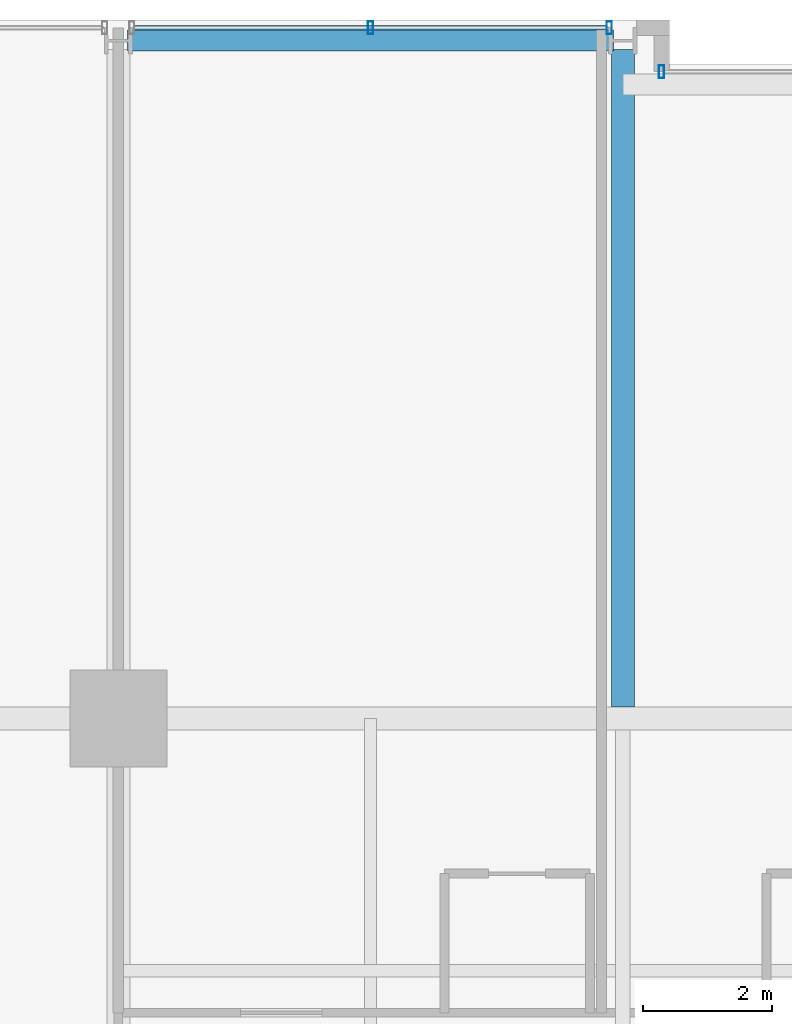
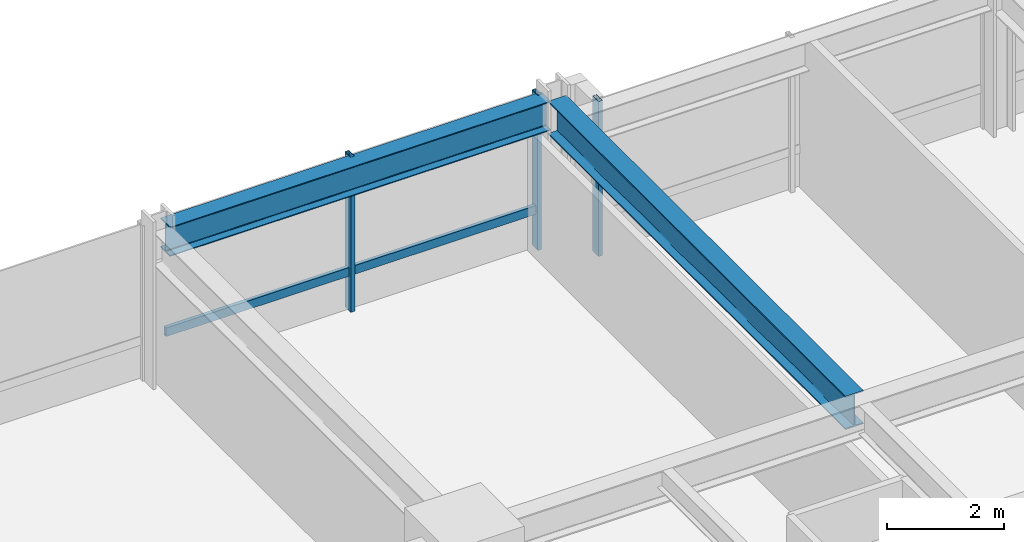
# One storey, part 21 of 35: 4 members, 2 beams, 2 elements without a shape of their own.
"""IFC4 building model written with IfcOpenShell, lengths in metres."""

import ifcopenshell
import ifcopenshell.guid

model = None  # the IFC model being written
_history = None  # IfcOwnerHistory: only IFC2X3 demands one
_inside = {}  # id of a spatial element -> (the spatial element, [elements in it])
_under = {}  # id of a project, library or spatial element -> (it, [spatial elements below it])
_declared = {}  # id of a project -> (the project, [libraries it declares])
_typed = {}  # id of a type object -> (the type object, [elements of that type])
_made_of = {}  # id of a material, layer set ... -> (it, [elements and type objects made of it])


def new_model(schema):
    """Start an empty IFC model of exactly this schema.

    Asked for "IFC4X3", IfcOpenShell would pick the latest addendum, in which some entities
    have other attributes; the version numbers below select the first issue.
    IFC2X3 requires an IfcOwnerHistory on every rooted entity: one is made here for all.
    """
    global model, _history
    if schema == "IFC4X3":
        model = ifcopenshell.file(schema_version=(4, 3, 0, 0))
    else:
        model = ifcopenshell.file(schema=schema)
    _inside.clear()
    _under.clear()
    _declared.clear()
    _typed.clear()
    _made_of.clear()
    _history = None
    if model.schema == "IFC2X3":
        org = make("IfcOrganization", Name="unknown")
        user = make(
            "IfcPersonAndOrganization",
            ThePerson=make("IfcPerson", FamilyName="unknown"),
            TheOrganization=org,
        )
        app = make(
            "IfcApplication",
            ApplicationDeveloper=org,
            Version="unknown",
            ApplicationFullName="unknown",
            ApplicationIdentifier="unknown",
        )
        _history = make(
            "IfcOwnerHistory",
            OwningUser=user,
            OwningApplication=app,
            ChangeAction="ADDED",
            CreationDate=0,
        )
    return model


def make(cls, **values):
    """One entity of the class cls with the attributes given. An attribute that is None is left unset."""
    return model.create_entity(
        cls, **{name: value for name, value in values.items() if value is not None}
    )


def rooted(cls, **values):
    """An entity with a GlobalId (a new one), such as an element, a storey or a relation."""
    return make(cls, GlobalId=ifcopenshell.guid.new(), OwnerHistory=_history, **values)


def si_unit(unit_type, name, prefix=None):
    """IfcSIUnit, for example si_unit("LENGTHUNIT", "METRE", prefix="MILLI")."""
    return make("IfcSIUnit", UnitType=unit_type, Prefix=prefix, Name=name)


def assignment(units):
    """IfcUnitAssignment: the units of a project."""
    return None if units is None else make("IfcUnitAssignment", Units=units)


def point(xyz):
    """IfcCartesianPoint."""
    return None if xyz is None else make("IfcCartesianPoint", Coordinates=xyz)


def direction(xyz):
    """IfcDirection."""
    return None if xyz is None else make("IfcDirection", DirectionRatios=xyz)


def frame(location, z_axis=None, x_axis=None):
    """IfcAxis2Placement3D, a coordinate frame: its origin and axes. An axis left out is left unset."""
    return make(
        "IfcAxis2Placement3D",
        Location=point(location),
        Axis=direction(z_axis),
        RefDirection=direction(x_axis),
    )


def frame_2d(location, x_axis=None):
    """IfcAxis2Placement2D, a coordinate frame in the plane: its origin and x axis."""
    return make(
        "IfcAxis2Placement2D", Location=point(location), RefDirection=direction(x_axis)
    )


def origin():
    """The frame at (0, 0, 0) with its axes left unset."""
    return frame((0.0, 0.0, 0.0))


def origin_2d():
    """The frame at (0, 0) in the plane with its x axis left unset."""
    return frame_2d((0.0, 0.0))


def place(relative_to, where):
    """IfcLocalPlacement: puts the frame where relative to a parent placement (None: the world)."""
    return make(
        "IfcLocalPlacement", PlacementRelTo=relative_to, RelativePlacement=where
    )


def context(
    kind, dimensions, precision=None, world=None, true_north=None, identifier=None
):
    """IfcGeometricRepresentationContext, for example the 3D "Model" context."""
    return make(
        "IfcGeometricRepresentationContext",
        ContextIdentifier=identifier,
        ContextType=kind,
        CoordinateSpaceDimension=dimensions,
        Precision=precision,
        WorldCoordinateSystem=world,
        TrueNorth=true_north,
    )


def subcontext(parent, identifier, kind, view, scale=None):
    """IfcGeometricRepresentationSubContext, for example "Body" below "Model"."""
    return make(
        "IfcGeometricRepresentationSubContext",
        ContextIdentifier=identifier,
        ContextType=kind,
        ParentContext=parent,
        TargetScale=scale,
        TargetView=view,
    )


def project(units=None, contexts=None):
    """IfcProject with its units and contexts."""
    return rooted(
        "IfcProject",
        Name="project",
        RepresentationContexts=contexts,
        UnitsInContext=assignment(units),
    )


def spatial(cls, under=None, at=None, **own):
    """A site, building, storey or space (cls), placed at a placement, below another one or the project."""
    s = rooted(cls, ObjectPlacement=at, **own)
    if under is not None:
        _under.setdefault(under.id(), (under, []))[1].append(s)
    return s


def profile(cls, at=None, kind="AREA", **sizes):
    """A parametric profile (cls). Its sizes go by their IFC names, for example OverallWidth=200.0."""
    return make(cls, ProfileType=kind, Position=at, **sizes)


def hollow_rectangle(**sizes):
    """IfcRectangleHollowProfileDef."""
    return profile("IfcRectangleHollowProfileDef", **sizes)


def i_section(**sizes):
    """IfcIShapeProfileDef."""
    return profile("IfcIShapeProfileDef", **sizes)


def extrude(swept, where, along, depth):
    """IfcExtrudedAreaSolid: the profile swept, set in the frame where, extruded along a direction by depth."""
    return make(
        "IfcExtrudedAreaSolid",
        SweptArea=swept,
        Position=where,
        ExtrudedDirection=direction(along),
        Depth=depth,
    )


def shape(context_of_items, identifier, shape_type, items):
    """IfcShapeRepresentation: the items that make up one representation, for example the "Body"."""
    return make(
        "IfcShapeRepresentation",
        ContextOfItems=context_of_items,
        RepresentationIdentifier=identifier,
        RepresentationType=shape_type,
        Items=items,
    )


def material(Name=None, Category=None):
    """IfcMaterial."""
    return make("IfcMaterial", Name=Name, Category=Category)


def layer(
    of_material, thickness, ventilated=None, Name=None, Category=None, Priority=None
):
    """IfcMaterialLayer: one layer of a wall or slab, of a material (None: an air gap)."""
    return make(
        "IfcMaterialLayer",
        Material=of_material,
        LayerThickness=thickness,
        IsVentilated=ventilated,
        Name=Name,
        Category=Category,
        Priority=Priority,
    )


def layer_set(layers, Name=None):
    """IfcMaterialLayerSet."""
    return make("IfcMaterialLayerSet", MaterialLayers=layers, LayerSetName=Name)


def material_profile(
    of_material, cross_section, Name=None, Category=None, Priority=None
):
    """IfcMaterialProfile: a cross section and its material."""
    return make(
        "IfcMaterialProfile",
        Name=Name,
        Material=of_material,
        Profile=cross_section,
        Priority=Priority,
        Category=Category,
    )


def profile_set(profiles, Name=None, composite=None):
    """IfcMaterialProfileSet."""
    return make(
        "IfcMaterialProfileSet",
        Name=Name,
        MaterialProfiles=profiles,
        CompositeProfile=composite,
    )


def made_of(thing, what):
    """Note that an element or type object is made of a material, layer set ...; save() writes the relation."""
    if what is not None:
        _made_of.setdefault(what.id(), (what, []))[1].append(thing)
    return thing


def type_object(cls, material=None, **own):
    """A type object (cls), such as IfcWallType, which elements share."""
    return made_of(rooted(cls, **own), material)


def element(
    cls,
    number,
    at=None,
    inside=None,
    cuts=None,
    type_object=None,
    material=None,
    context=None,
    identifier="Body",
    shape_type=None,
    held_by="IfcProductDefinitionShape",
    body=None,
    shapes=None,
    **own,
):
    """One element of the class cls, such as IfcWall. Its Tag is "e" and its number.

    at: its placement. inside: the storey or other place that contains it. cuts: it is an
    opening in that element (IfcRelVoidsElement). A single representation is given by context,
    identifier, shape_type and body (its items); several are given by shapes. held_by: the class
    of the entity that holds the representations. save() writes the other relations.
    """
    e = rooted(cls, Tag="e%d" % number, ObjectPlacement=at, **own)
    if body is not None:
        shapes = [shape(context, identifier, shape_type, body)]
    if shapes is not None:
        e.Representation = make(held_by, Representations=shapes)
    if inside is not None:
        _inside.setdefault(inside.id(), (inside, []))[1].append(e)
    if cuts is not None:
        rooted(
            "IfcRelVoidsElement", RelatingBuildingElement=cuts, RelatedOpeningElement=e
        )
    if type_object is not None:
        _typed.setdefault(type_object.id(), (type_object, []))[1].append(e)
    return made_of(e, material)


def aggregate(whole, parts):
    """IfcRelAggregates: a whole, such as a stair, and the parts it consists of."""
    return rooted("IfcRelAggregates", RelatingObject=whole, RelatedObjects=parts)


def save(model, path):
    """Write the relations noted so far, then the file.

    IfcRelAggregates (storeys below a building ...), IfcRelContainedInSpatialStructure (elements
    in a storey), IfcRelDefinesByType, IfcRelAssociatesMaterial and IfcRelDeclares: one each for
    every whole, place, type object, material and project.
    """
    for whole, parts in _under.values():
        aggregate(whole, parts)
    for where, things in _inside.values():
        rooted(
            "IfcRelContainedInSpatialStructure",
            RelatedElements=things,
            RelatingStructure=where,
        )
    for kind, things in _typed.values():
        rooted("IfcRelDefinesByType", RelatedObjects=things, RelatingType=kind)
    for what, things in _made_of.values():
        rooted("IfcRelAssociatesMaterial", RelatedObjects=things, RelatingMaterial=what)
    for by, libraries in _declared.values():
        rooted("IfcRelDeclares", RelatingContext=by, RelatedDefinitions=libraries)
    model.write(path)


model = new_model("IFC4")

# Units and contexts
model_context = context("Model", 3, precision=1e-05, world=origin(), true_north=direction((0.0, 1.0)))
body_context = subcontext(model_context, "Body", "Model", "MODEL_VIEW")
ifc_project = project(units=[si_unit("LENGTHUNIT", "METRE"), si_unit("AREAUNIT", "SQUARE_METRE"), si_unit("VOLUMEUNIT", "CUBIC_METRE"), si_unit("PLANEANGLEUNIT", "RADIAN"), si_unit("MASSUNIT", "GRAM", prefix="KILO")], contexts=[model_context])

# Site, building, storey
site_placement = place(None, origin())
site = spatial("IfcSite", under=ifc_project, at=site_placement, CompositionType="ELEMENT")
building_placement = place(site_placement, origin())
building = spatial("IfcBuilding", under=site, at=building_placement, Name="Drelvath Grand Hotel", CompositionType="ELEMENT")
storey_placement = place(building_placement, frame((0.0, 0.0, 123.300048828125)))
storey = spatial("IfcBuildingStorey", under=building, at=storey_placement, Name="L31", CompositionType="ELEMENT", Elevation=123.300048828125)

# Curtain wall, members
ifc_material_1 = material(Name="Champagne Bronze Anodised Aluminium Frame", Category="aluminium")
ifc_layer = layer(ifc_material_1, 0.199951171875)
ifc_layer_set = layer_set([ifc_layer], Name="Champagne Bronze Anodised Aluminium Frame")
curtain_wall_type = type_object("IfcCurtainWallType", Name="Stick Curtain Wall CW-03 Champagne Bronze Mid-Rise", PredefinedType="NOTDEFINED", material=ifc_layer_set)
curtain_wall_1_placement = place(storey_placement, origin())
curtain_wall_1 = element("IfcCurtainWall", 1, at=curtain_wall_1_placement, inside=storey, type_object=curtain_wall_type, Name="L31 CW-03 Curtain Wall CW03-L31-NW2", PredefinedType="NOTDEFINED")
ifc_material_profile_1 = material_profile(ifc_material_1, hollow_rectangle(XDim=0.074951171875, YDim=0.179931640625, WallThickness=0.0048828125, at=origin_2d()), Name="HSS180X75X5")
ifc_profile_set_1 = profile_set([ifc_material_profile_1], Name="Champagne Bronze Anodised Aluminium Frame")
member_type_1 = type_object("IfcMemberType", Name="Curtain Wall Horizontal Transom CW-03 HSS180X75X5", PredefinedType="USERDEFINED", material=ifc_profile_set_1)
member_1_placement = place(storey_placement, frame((-15.95068359375, 53.8798828125, 0.81005859375), z_axis=(1.0, 0.0, 0.0), x_axis=(0.0, 1.0, 0.0)))
member_1 = element("IfcMember", 2, at=member_1_placement, type_object=member_type_1, Name="CW03-L31-NW2 Sill Transom", ObjectType="TRANSOM", PredefinedType="USERDEFINED", context=body_context, shape_type="SweptSolid", body=[
    extrude(hollow_rectangle(XDim=0.074951171875, YDim=0.179931640625, WallThickness=0.0048828125, at=origin_2d()), origin(), (0.0, 0.0, 1.0), 7.30126953125),
])
ifc_material_profile_2 = material_profile(ifc_material_1, hollow_rectangle(XDim=0.080078125, YDim=0.199951171875, WallThickness=0.0048828125, at=origin_2d()), Name="HSS200X80X5")
ifc_profile_set_2 = profile_set([ifc_material_profile_2], Name="Champagne Bronze Anodised Aluminium Frame")
member_type_2 = type_object("IfcMemberType", Name="Curtain Wall Vertical Mullion CW-03 HSS200X80X5", PredefinedType="MULLION", material=ifc_profile_set_2)
member_2_placement = place(storey_placement, frame((-12.300048828125, 53.8798828125, 0.0), z_axis=(0.0, 0.0, 1.0), x_axis=(1.0, 0.0, 0.0)))
member_2 = element("IfcMember", 3, at=member_2_placement, type_object=member_type_2, Name="CW03-L31-NW2 Mullion 2", PredefinedType="MULLION", context=body_context, shape_type="SweptSolid", body=[
    extrude(hollow_rectangle(XDim=0.080078125, YDim=0.199951171875, WallThickness=0.0048828125, at=origin_2d()), origin(), (0.0, 0.0, 1.0), 3.239990234375),
])
member_3_placement = place(storey_placement, frame((-8.609375, 53.8798828125, 0.0), z_axis=(0.0, 0.0, 1.0), x_axis=(1.0, 0.0, 0.0)))
member_3 = element("IfcMember", 4, at=member_3_placement, type_object=member_type_2, Name="CW03-L31-NW2 Mullion 3", PredefinedType="MULLION", context=body_context, shape_type="SweptSolid", body=[
    extrude(hollow_rectangle(XDim=0.080078125, YDim=0.199951171875, WallThickness=0.0048828125, at=origin_2d()), origin(), (0.0, 0.0, 1.0), 3.239990234375),
])
aggregate(curtain_wall_1, [member_2, member_3, member_1])

# Curtain wall, member
curtain_wall_2_placement = place(storey_placement, origin())
curtain_wall_2 = element("IfcCurtainWall", 5, at=curtain_wall_2_placement, inside=storey, type_object=curtain_wall_type, Name="L31 CW-03 Curtain Wall CW03-L31-NM1", PredefinedType="NOTDEFINED")
member_4_placement = place(storey_placement, frame((-7.800048828125, 53.199951171875, 0.0), z_axis=(0.0, 0.0, 1.0), x_axis=(1.0, 0.0, 0.0)))
member_4 = element("IfcMember", 6, at=member_4_placement, type_object=member_type_2, Name="CW03-L31-NM1 Mullion 1", PredefinedType="MULLION", context=body_context, shape_type="SweptSolid", body=[
    extrude(hollow_rectangle(XDim=0.080078125, YDim=0.199951171875, WallThickness=0.0048828125, at=origin_2d()), origin(), (0.0, 0.0, 1.0), 3.239990234375),
])
aggregate(curtain_wall_2, [member_4])

# Beams
ifc_material_2 = material(Name="Steel ASTM A992 Gr 50", Category="steel")
ifc_material_profile_3 = material_profile(ifc_material_2, i_section(OverallWidth=0.323974609375, OverallDepth=0.611083984375, WebThickness=0.0126953125, FlangeThickness=0.01904296875, FilletRadius=0.02197265625, at=origin_2d()), Name="W24X104")
ifc_profile_set_3 = profile_set([ifc_material_profile_3], Name="Steel ASTM A992 Gr 50")
beam_type_1 = type_object("IfcBeamType", Name="Perimeter Spandrel Beam W24X104", PredefinedType="SPANDREL", material=ifc_profile_set_3)
beam_1_placement = place(storey_placement, frame((-16.06005859375, 53.679931640625, 2.9345703125), z_axis=(1.0, 0.0, 0.0), x_axis=(0.0, 1.0, 0.0)))
element("IfcBeam", 7, at=beam_1_placement, inside=storey, type_object=beam_type_1, Name="L31 Spandrel North W", PredefinedType="SPANDREL", context=body_context, shape_type="SweptSolid", body=[
    extrude(i_section(OverallWidth=0.323974609375, OverallDepth=0.611083984375, WebThickness=0.0126953125, FlangeThickness=0.01904296875, FilletRadius=0.02197265625, at=origin_2d()), origin(), (0.0, 0.0, 1.0), 7.52001953125),
])
ifc_material_profile_4 = material_profile(ifc_material_2, i_section(OverallWidth=0.354736328125, OverallDepth=0.695556640625, WebThickness=0.015380859375, FlangeThickness=0.025146484375, FilletRadius=0.02392578125, at=origin_2d()), Name="W27X146")
ifc_profile_set_4 = profile_set([ifc_material_profile_4], Name="Steel ASTM A992 Gr 50")
beam_type_2 = type_object("IfcBeamType", Name="Primary Floor Girder W27X146", PredefinedType="BEAM", material=ifc_profile_set_4)
beam_2_placement = place(storey_placement, frame((-8.39990234375, 43.37744140625, 2.892333984375), z_axis=(0.0, 1.0, 0.0), x_axis=(-1.0, 0.0, 0.0)))
element("IfcBeam", 8, at=beam_2_placement, inside=storey, type_object=beam_type_2, Name="L31 North Wing Girder 4", PredefinedType="BEAM", context=body_context, shape_type="SweptSolid", body=[
    extrude(i_section(OverallWidth=0.354736328125, OverallDepth=0.695556640625, WebThickness=0.015380859375, FlangeThickness=0.025146484375, FilletRadius=0.02392578125, at=origin_2d()), origin(), (0.0, 0.0, 1.0), 10.16259765625),
])

save(model, "model.ifc")
